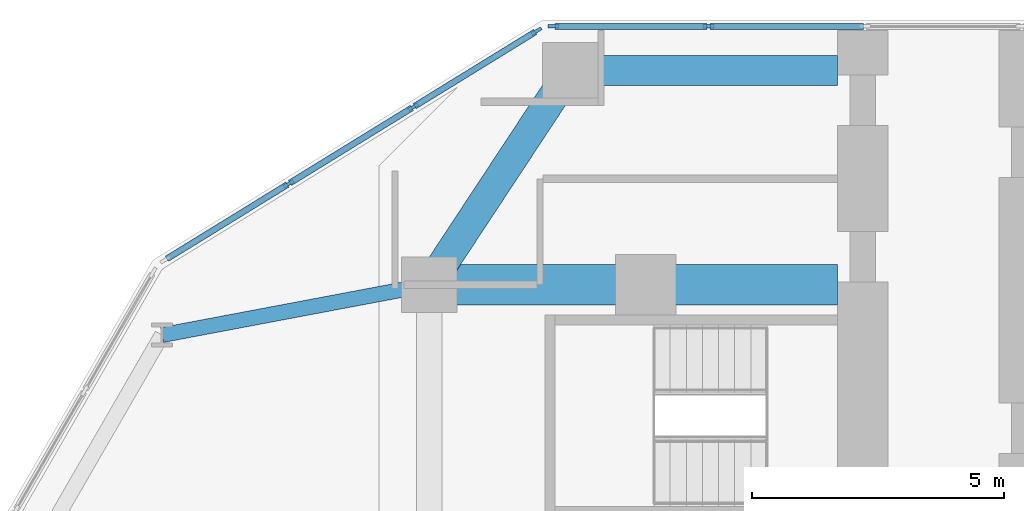
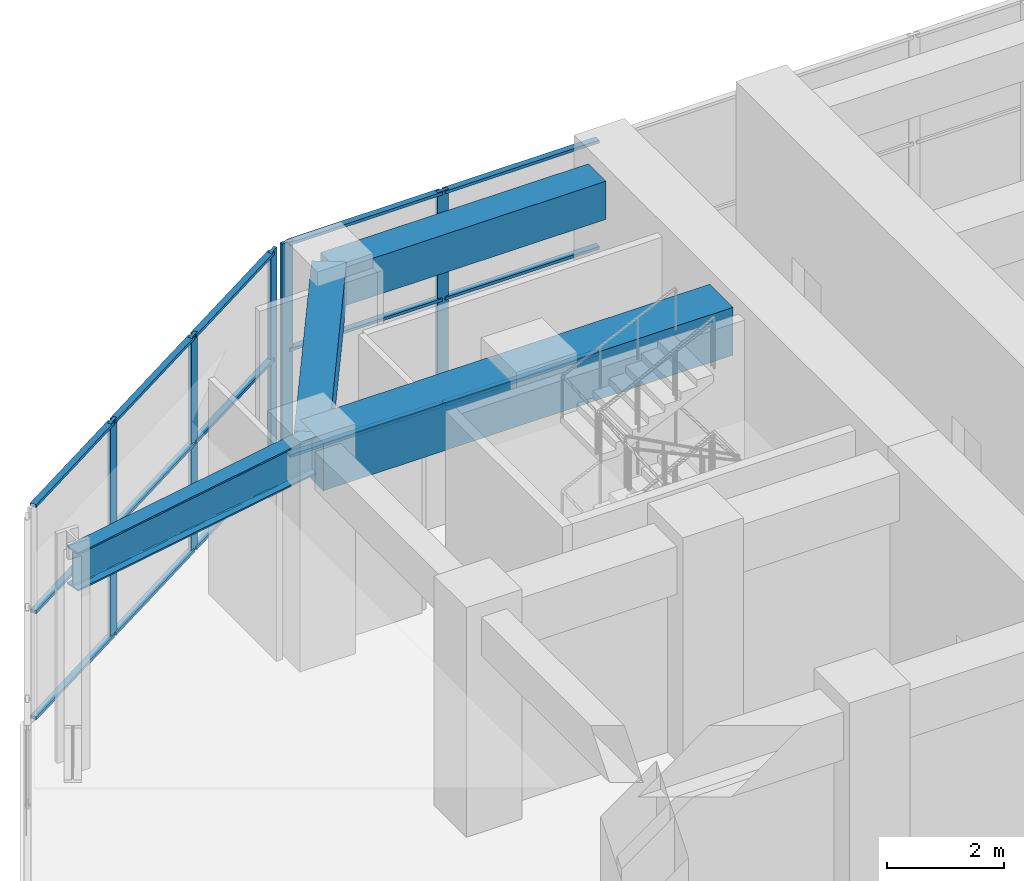
# One storey, part 8 of 22: 20 members, 4 beams, 2 elements without a shape of their own.
"""IFC4 building model written with IfcOpenShell, lengths in metres."""

from ifc_helpers import new_model, si_unit, direction, frame, origin, origin_2d, place, context, subcontext, project, spatial, rectangle, i_section, extrude, material, material_profile, profile_set, type_object, element, aggregate, save


model = new_model("IFC4")

# Units and contexts
model_context = context("Model", 3, precision=1e-05, world=origin(), true_north=direction((0.0, 1.0)))
body_context = subcontext(model_context, "Body", "Model", "MODEL_VIEW")
ifc_project = project(units=[si_unit("LENGTHUNIT", "METRE"), si_unit("AREAUNIT", "SQUARE_METRE"), si_unit("VOLUMEUNIT", "CUBIC_METRE"), si_unit("PLANEANGLEUNIT", "RADIAN"), si_unit("MASSUNIT", "GRAM", prefix="KILO")], contexts=[model_context])

# Site, building, storey
site_placement = place(None, origin())
site = spatial("IfcSite", under=ifc_project, at=site_placement, CompositionType="ELEMENT")
building_placement = place(site_placement, origin())
building = spatial("IfcBuilding", under=site, at=building_placement, Name="Kosmar Iwan School Tower", CompositionType="ELEMENT")
storey_placement = place(building_placement, frame((0.0, 0.0, 15.60009765625)))
storey = spatial("IfcBuildingStorey", under=building, at=storey_placement, Name="L03", CompositionType="ELEMENT", Elevation=15.60009765625)

# Beam
ifc_material_1 = material(Name="Steel S355", Category="steel")
ifc_material_profile_1 = material_profile(ifc_material_1, i_section(OverallWidth=0.300048828125, OverallDepth=0.800048828125, WebThickness=0.017578125, FlangeThickness=0.032958984375, FilletRadius=0.030029296875, at=origin_2d()), Name="HE 800 B")
ifc_profile_set_1 = profile_set([ifc_material_profile_1], Name="Steel S355")
beam_type_1 = type_object("IfcBeamType", Name="Infill edge beam HE 800 B", PredefinedType="BEAM", material=ifc_profile_set_1)
beam_1_placement = place(storey_placement, frame((-15.502197265625, 28.34912109375, 4.099853515625), z_axis=(0.982642984394, 0.185506779446, 0.0), x_axis=(-0.185506779446, 0.982642984394, 0.0)))
element("IfcBeam", 1, at=beam_1_placement, inside=storey, type_object=beam_type_1, Name="Infill edge beam AB5", PredefinedType="BEAM", context=body_context, shape_type="SweptSolid", body=[
    extrude(i_section(OverallWidth=0.300048828125, OverallDepth=0.800048828125, WebThickness=0.017578125, FlangeThickness=0.032958984375, FilletRadius=0.030029296875, at=origin_2d()), origin(), (0.0, 0.0, 1.0), 5.39599609375),
])

# Curtain wall, members
ifc_material_2 = material(Name="Dark glass in black aluminium frame", Category="aluminium")
curtain_wall_type_1 = type_object("IfcCurtainWallType", Name="Tower curtain wall dark glass", PredefinedType="USERDEFINED", material=ifc_material_2)
curtain_wall_1_placement = place(storey_placement, origin())
curtain_wall_1 = element("IfcCurtainWall", 2, at=curtain_wall_1_placement, inside=storey, type_object=curtain_wall_type_1, Name="Curtain wall L03-F06", ObjectType="UNITISED CURTAIN WALL", PredefinedType="USERDEFINED")
ifc_material_3 = material(Name="Black anodised aluminium", Category="aluminium")
ifc_material_profile_2 = material_profile(ifc_material_3, rectangle(XDim=0.06494140625, YDim=0.219970703125, at=origin_2d()), Name="MULLION 65x220")
ifc_profile_set_2 = profile_set([ifc_material_profile_2], Name="Black anodised aluminium")
member_type_1 = type_object("IfcMemberType", Name="Podium mullion 65x220", PredefinedType="MULLION", material=ifc_profile_set_2)
member_1_placement = place(storey_placement, frame((-4.65869140625, 34.47509765625, 0.0), z_axis=(0.0, 0.0, 1.0), x_axis=(0.0, -1.0, 0.0)))
member_1 = element("IfcMember", 3, at=member_1_placement, type_object=member_type_1, Name="CW1 mullion 5", PredefinedType="MULLION", context=body_context, shape_type="SweptSolid", body=[
    extrude(rectangle(XDim=0.06494140625, YDim=0.219970703125, at=origin_2d()), origin(), (0.0, 0.0, 1.0), 4.5),
])
member_2_placement = place(storey_placement, frame((-7.732177734375, 34.47509765625, 0.0), z_axis=(0.0, 0.0, 1.0), x_axis=(0.0, -1.0, 0.0)))
member_2 = element("IfcMember", 4, at=member_2_placement, type_object=member_type_1, Name="CW1 mullion 6", PredefinedType="MULLION", context=body_context, shape_type="SweptSolid", body=[
    extrude(rectangle(XDim=0.06494140625, YDim=0.219970703125, at=origin_2d()), origin(), (0.0, 0.0, 1.0), 4.5),
])

ifc_material_4 = material(Name="Dark glass in black aluminium frame", Category="aluminium")
curtain_wall_type_2 = type_object("IfcCurtainWallType", Name="Podium curtain wall", PredefinedType="USERDEFINED", material=ifc_material_4)
curtain_wall_2_placement = place(storey_placement, origin())
curtain_wall_2 = element("IfcCurtainWall", 5, at=curtain_wall_2_placement, inside=storey, type_object=curtain_wall_type_2, Name="Curtain wall L03-F07", ObjectType="STICK CURTAIN WALL", PredefinedType="USERDEFINED")
member_3_placement = place(storey_placement, frame((-8.070068359375, 34.37939453125, 0.0), z_axis=(0.0, 0.0, 1.0), x_axis=(0.524381722801, -0.851483299186, 0.0)))
member_3 = element("IfcMember", 6, at=member_3_placement, type_object=member_type_1, Name="CW3 mullion 1", PredefinedType="MULLION", context=body_context, shape_type="SweptSolid", body=[
    extrude(rectangle(XDim=0.06494140625, YDim=0.219970703125, at=origin_2d()), origin(), (0.0, 0.0, 1.0), 4.5),
])
member_4_placement = place(storey_placement, frame((-10.515380859375, 32.873291015625, 0.0), z_axis=(0.0, 0.0, 1.0), x_axis=(0.524381722801, -0.851483299186, 0.0)))
member_4 = element("IfcMember", 7, at=member_4_placement, type_object=member_type_1, Name="CW3 mullion 2", PredefinedType="MULLION", context=body_context, shape_type="SweptSolid", body=[
    extrude(rectangle(XDim=0.06494140625, YDim=0.219970703125, at=origin_2d()), origin(), (0.0, 0.0, 1.0), 4.5),
])
member_5_placement = place(storey_placement, frame((-12.988525390625, 31.350341796875, 0.0), z_axis=(0.0, 0.0, 1.0), x_axis=(0.524381722801, -0.851483299186, 0.0)))
member_5 = element("IfcMember", 8, at=member_5_placement, type_object=member_type_1, Name="CW3 mullion 3", PredefinedType="MULLION", context=body_context, shape_type="SweptSolid", body=[
    extrude(rectangle(XDim=0.06494140625, YDim=0.219970703125, at=origin_2d()), origin(), (0.0, 0.0, 1.0), 4.5),
])

# Beams
ifc_material_5 = material(Name="Concrete C50/60", Category="concrete")
ifc_material_profile_3 = material_profile(ifc_material_5, rectangle(XDim=0.60009765625, YDim=0.800048828125, at=origin_2d()), Name="RC 600x800")
ifc_profile_set_3 = profile_set([ifc_material_profile_3], Name="Concrete C50/60")
beam_type_2 = type_object("IfcBeamType", Name="RC tip beam 600x800", PredefinedType="BEAM", material=ifc_profile_set_3)
beam_2_placement = place(storey_placement, frame((-10.199951171875, 29.35009765625, 4.099853515625), z_axis=(0.550164383043, 0.835056376319, 0.0), x_axis=(-0.835056376319, 0.550164383043, 0.0)))
element("IfcBeam", 9, at=beam_2_placement, inside=storey, type_object=beam_type_2, Name="Tip beam AL", PredefinedType="BEAM", context=body_context, shape_type="SweptSolid", body=[
    extrude(rectangle(XDim=0.60009765625, YDim=0.800048828125, at=origin_2d()), origin(), (0.0, 0.0, 1.0), 5.08935546875),
])
beam_3_placement = place(storey_placement, frame((-7.39990234375, 33.60009765625, 4.099853515625), z_axis=(1.0, 0.0, 0.0), x_axis=(0.0, 1.0, 0.0)))
element("IfcBeam", 10, at=beam_3_placement, inside=storey, type_object=beam_type_2, Name="Tip beam AL to corridor wall", PredefinedType="BEAM", context=body_context, shape_type="SweptSolid", body=[
    extrude(rectangle(XDim=0.60009765625, YDim=0.800048828125, at=origin_2d()), origin(), (0.0, 0.0, 1.0), 5.2998046875),
])
ifc_material_6 = material(Name="Concrete C50/60", Category="concrete")
ifc_material_profile_4 = material_profile(ifc_material_6, rectangle(XDim=0.800048828125, YDim=1.0, at=origin_2d()), Name="RC 800x1000")
ifc_profile_set_4 = profile_set([ifc_material_profile_4], Name="Concrete C50/60")
beam_type_3 = type_object("IfcBeamType", Name="RC transverse beam 800x1000", PredefinedType="BEAM", material=ifc_profile_set_4)
beam_4_placement = place(storey_placement, frame((-10.199951171875, 29.35009765625, 4.0), z_axis=(1.0, 0.0, 0.0), x_axis=(0.0, 1.0, 0.0)))
element("IfcBeam", 11, at=beam_4_placement, inside=storey, type_object=beam_type_3, Name="Transverse beam AL4", PredefinedType="BEAM", context=body_context, shape_type="SweptSolid", body=[
    extrude(rectangle(XDim=0.800048828125, YDim=1.0, at=origin_2d()), origin(), (0.0, 0.0, 1.0), 8.099853515625),
])

# Member
ifc_material_7 = material(Name="Black anodised aluminium", Category="aluminium")
ifc_material_profile_5 = material_profile(ifc_material_7, rectangle(XDim=0.1201171875, YDim=0.06005859375, at=origin_2d()), Name="TRANSOM 60x120")
ifc_profile_set_5 = profile_set([ifc_material_profile_5], Name="Black anodised aluminium")
member_type_2 = type_object("IfcMemberType", Name="Transom 60x120", PredefinedType="USERDEFINED", material=ifc_profile_set_5)
member_6_placement = place(storey_placement, frame((-1.58544921875, 34.47509765625, 0.02978515625), z_axis=(-1.0, 0.0, 0.0), x_axis=(0.0, -1.0, 0.0)))
member_6 = element("IfcMember", 12, at=member_6_placement, type_object=member_type_2, Name="CW1 transom 4.1", ObjectType="TRANSOM", PredefinedType="USERDEFINED", context=body_context, shape_type="SweptSolid", body=[
    extrude(rectangle(XDim=0.1201171875, YDim=0.06005859375, at=origin_2d()), origin(), (0.0, 0.0, 1.0), 3.040771484375),
])

member_7_placement = place(storey_placement, frame((-1.58544921875, 34.47509765625, 2.25), z_axis=(-1.0, 0.0, 0.0), x_axis=(0.0, -1.0, 0.0)))
member_7 = element("IfcMember", 13, at=member_7_placement, type_object=member_type_2, Name="CW1 transom 4.2", ObjectType="TRANSOM", PredefinedType="USERDEFINED", context=body_context, shape_type="SweptSolid", body=[
    extrude(rectangle(XDim=0.1201171875, YDim=0.06005859375, at=origin_2d()), origin(), (0.0, 0.0, 1.0), 3.040771484375),
])

member_8_placement = place(storey_placement, frame((-1.58544921875, 34.47509765625, 4.469970703125), z_axis=(-1.0, 0.0, 0.0), x_axis=(0.0, -1.0, 0.0)))
member_8 = element("IfcMember", 14, at=member_8_placement, type_object=member_type_2, Name="CW1 transom 4.3", ObjectType="TRANSOM", PredefinedType="USERDEFINED", context=body_context, shape_type="SweptSolid", body=[
    extrude(rectangle(XDim=0.1201171875, YDim=0.06005859375, at=origin_2d()), origin(), (0.0, 0.0, 1.0), 3.040771484375),
])

member_9_placement = place(storey_placement, frame((-4.691162109375, 34.47509765625, 0.02978515625), z_axis=(-1.0, 0.0, 0.0), x_axis=(0.0, -1.0, 0.0)))
member_9 = element("IfcMember", 15, at=member_9_placement, type_object=member_type_2, Name="CW1 transom 5.1", ObjectType="TRANSOM", PredefinedType="USERDEFINED", context=body_context, shape_type="SweptSolid", body=[
    extrude(rectangle(XDim=0.1201171875, YDim=0.06005859375, at=origin_2d()), origin(), (0.0, 0.0, 1.0), 3.008544921875),
])

member_10_placement = place(storey_placement, frame((-4.691162109375, 34.47509765625, 2.25), z_axis=(-1.0, 0.0, 0.0), x_axis=(0.0, -1.0, 0.0)))
member_10 = element("IfcMember", 16, at=member_10_placement, type_object=member_type_2, Name="CW1 transom 5.2", ObjectType="TRANSOM", PredefinedType="USERDEFINED", context=body_context, shape_type="SweptSolid", body=[
    extrude(rectangle(XDim=0.1201171875, YDim=0.06005859375, at=origin_2d()), origin(), (0.0, 0.0, 1.0), 3.008544921875),
])

member_11_placement = place(storey_placement, frame((-4.691162109375, 34.47509765625, 4.469970703125), z_axis=(-1.0, 0.0, 0.0), x_axis=(0.0, -1.0, 0.0)))
member_11 = element("IfcMember", 17, at=member_11_placement, type_object=member_type_2, Name="CW1 transom 5.3", ObjectType="TRANSOM", PredefinedType="USERDEFINED", context=body_context, shape_type="SweptSolid", body=[
    extrude(rectangle(XDim=0.1201171875, YDim=0.06005859375, at=origin_2d()), origin(), (0.0, 0.0, 1.0), 3.008544921875),
])

aggregate(curtain_wall_1, [member_1, member_2, member_6, member_7, member_8, member_9, member_10, member_11])

member_12_placement = place(storey_placement, frame((-8.09765625, 34.3623046875, 0.02978515625), z_axis=(-0.851488054059, -0.52437400183, 0.0), x_axis=(0.52437400183, -0.851488054059, 0.0)))
member_12 = element("IfcMember", 18, at=member_12_placement, type_object=member_type_2, Name="CW3 transom 1.1", ObjectType="TRANSOM", PredefinedType="USERDEFINED", context=body_context, shape_type="SweptSolid", body=[
    extrude(rectangle(XDim=0.1201171875, YDim=0.06005859375, at=origin_2d()), origin(), (0.0, 0.0, 1.0), 2.80712890625),
])

member_13_placement = place(storey_placement, frame((-8.09765625, 34.3623046875, 2.25), z_axis=(-0.851488054059, -0.52437400183, 0.0), x_axis=(0.52437400183, -0.851488054059, 0.0)))
member_13 = element("IfcMember", 19, at=member_13_placement, type_object=member_type_2, Name="CW3 transom 1.2", ObjectType="TRANSOM", PredefinedType="USERDEFINED", context=body_context, shape_type="SweptSolid", body=[
    extrude(rectangle(XDim=0.1201171875, YDim=0.06005859375, at=origin_2d()), origin(), (0.0, 0.0, 1.0), 2.80712890625),
])

member_14_placement = place(storey_placement, frame((-8.09765625, 34.3623046875, 4.469970703125), z_axis=(-0.851488054059, -0.52437400183, 0.0), x_axis=(0.52437400183, -0.851488054059, 0.0)))
member_14 = element("IfcMember", 20, at=member_14_placement, type_object=member_type_2, Name="CW3 transom 1.3", ObjectType="TRANSOM", PredefinedType="USERDEFINED", context=body_context, shape_type="SweptSolid", body=[
    extrude(rectangle(XDim=0.1201171875, YDim=0.06005859375, at=origin_2d()), origin(), (0.0, 0.0, 1.0), 2.80712890625),
])

member_15_placement = place(storey_placement, frame((-10.54296875, 32.856201171875, 0.02978515625), z_axis=(-0.85151066898, -0.524337277536, 0.0), x_axis=(0.524337277536, -0.85151066898, 0.0)))
member_15 = element("IfcMember", 21, at=member_15_placement, type_object=member_type_2, Name="CW3 transom 2.1", ObjectType="TRANSOM", PredefinedType="USERDEFINED", context=body_context, shape_type="SweptSolid", body=[
    extrude(rectangle(XDim=0.1201171875, YDim=0.06005859375, at=origin_2d()), origin(), (0.0, 0.0, 1.0), 2.83935546875),
])

member_16_placement = place(storey_placement, frame((-10.54296875, 32.856201171875, 2.25), z_axis=(-0.85151066898, -0.524337277536, 0.0), x_axis=(0.524337277536, -0.85151066898, 0.0)))
member_16 = element("IfcMember", 22, at=member_16_placement, type_object=member_type_2, Name="CW3 transom 2.2", ObjectType="TRANSOM", PredefinedType="USERDEFINED", context=body_context, shape_type="SweptSolid", body=[
    extrude(rectangle(XDim=0.1201171875, YDim=0.06005859375, at=origin_2d()), origin(), (0.0, 0.0, 1.0), 2.83935546875),
])

member_17_placement = place(storey_placement, frame((-10.54296875, 32.856201171875, 4.469970703125), z_axis=(-0.85151066898, -0.524337277536, 0.0), x_axis=(0.524337277536, -0.85151066898, 0.0)))
member_17 = element("IfcMember", 23, at=member_17_placement, type_object=member_type_2, Name="CW3 transom 2.3", ObjectType="TRANSOM", PredefinedType="USERDEFINED", context=body_context, shape_type="SweptSolid", body=[
    extrude(rectangle(XDim=0.1201171875, YDim=0.06005859375, at=origin_2d()), origin(), (0.0, 0.0, 1.0), 2.83935546875),
])

member_18_placement = place(storey_placement, frame((-13.01611328125, 31.333251953125, 0.02978515625), z_axis=(-0.851488054059, -0.52437400183, 0.0), x_axis=(0.52437400183, -0.851488054059, 0.0)))
member_18 = element("IfcMember", 24, at=member_18_placement, type_object=member_type_2, Name="CW3 transom 3.1", ObjectType="TRANSOM", PredefinedType="USERDEFINED", context=body_context, shape_type="SweptSolid", body=[
    extrude(rectangle(XDim=0.1201171875, YDim=0.06005859375, at=origin_2d()), origin(), (0.0, 0.0, 1.0), 2.80712890625),
])

member_19_placement = place(storey_placement, frame((-13.01611328125, 31.333251953125, 2.25), z_axis=(-0.851488054059, -0.52437400183, 0.0), x_axis=(0.52437400183, -0.851488054059, 0.0)))
member_19 = element("IfcMember", 25, at=member_19_placement, type_object=member_type_2, Name="CW3 transom 3.2", ObjectType="TRANSOM", PredefinedType="USERDEFINED", context=body_context, shape_type="SweptSolid", body=[
    extrude(rectangle(XDim=0.1201171875, YDim=0.06005859375, at=origin_2d()), origin(), (0.0, 0.0, 1.0), 2.80712890625),
])

member_20_placement = place(storey_placement, frame((-13.01611328125, 31.333251953125, 4.469970703125), z_axis=(-0.851488054059, -0.52437400183, 0.0), x_axis=(0.52437400183, -0.851488054059, 0.0)))
member_20 = element("IfcMember", 26, at=member_20_placement, type_object=member_type_2, Name="CW3 transom 3.3", ObjectType="TRANSOM", PredefinedType="USERDEFINED", context=body_context, shape_type="SweptSolid", body=[
    extrude(rectangle(XDim=0.1201171875, YDim=0.06005859375, at=origin_2d()), origin(), (0.0, 0.0, 1.0), 2.80712890625),
])

aggregate(curtain_wall_2, [member_3, member_4, member_5, member_12, member_13, member_14, member_15, member_16, member_17, member_18, member_19, member_20])

save(model, "model.ifc")
